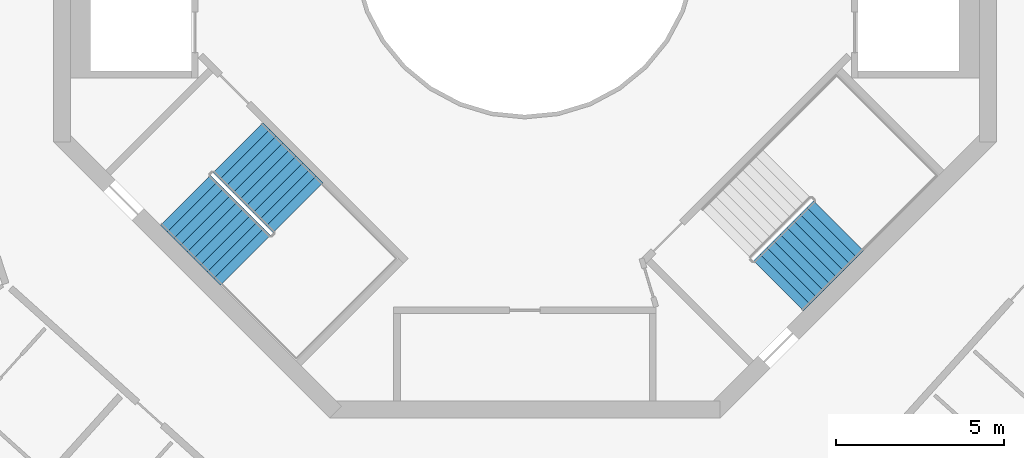
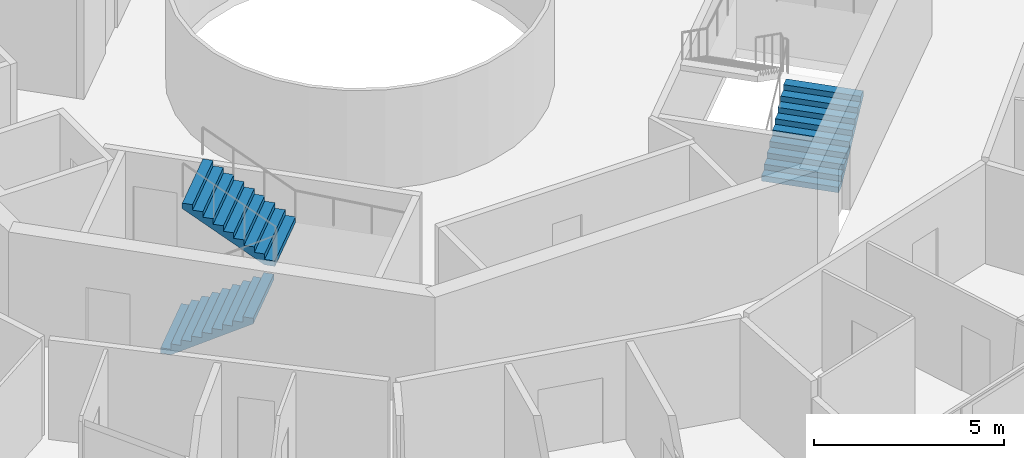
# One storey, part 20 of 22: 3 stair flights, 2 elements without a shape of their own.
"""IFC4 building model written with IfcOpenShell, lengths in metres."""

from ifc_helpers import new_model, si_unit, direction, frame, origin, place, context, subcontext, project, spatial, triangles, material, type_object, element, aggregate, save


model = new_model("IFC4")

# Units and contexts
model_context = context("Model", 3, precision=1e-05, world=origin(), true_north=direction((0.0, 1.0)))
body_context = subcontext(model_context, "Body", "Model", "MODEL_VIEW")
ifc_project = project(units=[si_unit("LENGTHUNIT", "METRE"), si_unit("AREAUNIT", "SQUARE_METRE"), si_unit("VOLUMEUNIT", "CUBIC_METRE"), si_unit("PLANEANGLEUNIT", "RADIAN"), si_unit("MASSUNIT", "GRAM", prefix="KILO")], contexts=[model_context])

# Site, building, storey
site_placement = place(None, origin())
site = spatial("IfcSite", under=ifc_project, at=site_placement, CompositionType="ELEMENT")
building_placement = place(site_placement, origin())
building = spatial("IfcBuilding", under=site, at=building_placement, Name="Verdalira Terraces Hotel", CompositionType="ELEMENT")
storey_placement = place(building_placement, frame((0.0, 0.0, 230.5)))
storey = spatial("IfcBuildingStorey", under=building, at=storey_placement, Name="L56", CompositionType="ELEMENT", Elevation=230.5)

# Stair, stair flights
ifc_material_1 = material(Name="Concrete C40", Category="concrete")
stair_type = type_object("IfcStairType", Name="Core stair 20 risers 2100 mm wide", PredefinedType="HALF_TURN_STAIR", material=ifc_material_1)
stair_1_placement = place(storey_placement, origin())
stair_1 = element("IfcStair", 1, at=stair_1_placement, inside=storey, type_object=stair_type, Name="L56 Exit stair ST2", PredefinedType="HALF_TURN_STAIR")
ifc_material_2 = material(Name="Concrete C40", Category="concrete")
stair_flight_type = type_object("IfcStairFlightType", Name="Core stair flight 20 risers 2100 mm wide", PredefinedType="STRAIGHT", material=ifc_material_2)
stair_flight_1_placement = place(storey_placement, frame((-10.076172, -7.530762, 0.0), z_axis=(0.0, 0.0, 1.0), x_axis=(0.707106781, -0.707106781, 0.0)))
stair_flight_1 = element("IfcStairFlight", 2, at=stair_flight_1_placement, type_object=stair_flight_type, Name="ST2 flight 1", NumberOfRisers=10, NumberOfTreads=9, PredefinedType="STRAIGHT", RiserHeight=0.175, TreadLength=0.28, context=body_context, shape_type="Tessellation", body=[
    triangles([(0.0, 1.050049, 0.0), (0.282715, 1.050049, 0.0), (2.52002, 1.050049, 1.398193), (0.0, -1.050049, 0.0), (0.282715, -1.050049, 0.0), (2.52002, -1.050049, 1.398193), (2.52002, 1.050049, 1.574951), (2.23999, 1.050049, 1.574951), (2.52002, -1.050049, 1.574951), (2.23999, -1.050049, 1.574951), (2.23999, 1.050049, 1.399902), (2.23999, -1.050049, 1.399902), (1.959961, 1.050049, 1.399902), (1.959961, -1.050049, 1.399902), (1.959961, 1.050049, 1.225098), (1.959961, -1.050049, 1.225098), (1.679932, 1.050049, 1.225098), (1.679932, 1.050049, 1.050049), (1.679932, -1.050049, 1.225098), (1.679932, -1.050049, 1.050049), (1.399902, 1.050049, 1.050049), (1.399902, 1.050049, 0.875), (1.399902, -1.050049, 1.050049), (1.399902, -1.050049, 0.875), (1.120117, 1.050049, 0.875), (1.120117, 1.050049, 0.699951), (1.120117, -1.050049, 0.875), (1.120117, -1.050049, 0.699951), (0.840088, 1.050049, 0.699951), (0.840088, 1.050049, 0.524902), (0.840088, -1.050049, 0.699951), (0.840088, -1.050049, 0.524902), (0.560059, 1.050049, 0.524902), (0.560059, 1.050049, 0.350098), (0.560059, -1.050049, 0.524902), (0.560059, -1.050049, 0.350098), (0.280029, 1.050049, 0.350098), (0.280029, 1.050049, 0.175049), (0.280029, -1.050049, 0.350098), (0.280029, -1.050049, 0.175049), (0.0, 1.050049, 0.175049), (0.0, -1.050049, 0.175049), (0.0, -0.984421, 0.0), (0.0, -0.984421, 0.175049), (0.0, -0.918793, 0.0), (0.0, -0.918793, 0.175049), (0.0, -0.853165, 0.0), (0.0, -0.853165, 0.175049), (0.0, -0.787537, 0.0), (0.0, -0.787537, 0.175049), (0.0, -0.721909, 0.0), (0.0, -0.721909, 0.175049), (0.0, -0.656281, 0.0), (0.0, -0.656281, 0.175049), (0.0, -0.590652, 0.0), (0.0, -0.590652, 0.175049), (0.0, -0.525024, 0.0), (0.0, -0.525024, 0.175049), (0.0, -0.459396, 0.0), (0.0, -0.459396, 0.175049), (0.0, -0.393768, 0.0), (0.0, -0.393768, 0.175049), (0.0, -0.32814, 0.0), (0.0, -0.32814, 0.175049), (0.0, -0.262512, 0.0), (0.0, -0.262512, 0.175049), (0.0, -0.196884, 0.0), (0.0, -0.196884, 0.175049), (0.0, -0.131256, 0.0), (0.0, -0.131256, 0.175049), (0.0, -0.065628, 0.0), (0.0, -0.065628, 0.175049), (0.0, 0.0, 0.0), (0.0, 0.0, 0.175049), (0.0, 0.065628, 0.0), (0.0, 0.065628, 0.175049), (0.0, 0.131256, 0.0), (0.0, 0.131256, 0.175049), (0.0, 0.196884, 0.0), (0.0, 0.196884, 0.175049), (0.0, 0.262512, 0.0), (0.0, 0.262512, 0.175049), (0.0, 0.32814, 0.0), (0.0, 0.32814, 0.175049), (0.0, 0.393768, 0.0), (0.0, 0.393768, 0.175049), (0.0, 0.459396, 0.0), (0.0, 0.459396, 0.175049), (0.0, 0.525024, 0.0), (0.0, 0.525024, 0.175049), (0.0, 0.590652, 0.0), (0.0, 0.590652, 0.175049), (0.0, 0.656281, 0.0), (0.0, 0.656281, 0.175049), (0.0, 0.721909, 0.0), (0.0, 0.721909, 0.175049), (0.0, 0.787537, 0.0), (0.0, 0.787537, 0.175049), (0.0, 0.853165, 0.0), (0.0, 0.853165, 0.175049), (0.0, 0.918793, 0.0), (0.0, 0.918793, 0.175049), (0.0, 0.984421, 0.0), (0.0, 0.984421, 0.175049), (2.52002, -0.984421, 1.574951), (2.52002, -0.918793, 1.574951), (2.52002, -0.853165, 1.574951), (2.52002, -0.787537, 1.574951), (2.52002, -0.721909, 1.574951), (2.52002, -0.656281, 1.574951), (2.52002, -0.590652, 1.574951), (2.52002, -0.525024, 1.574951), (2.52002, -0.459396, 1.574951), (2.52002, -0.393768, 1.574951), (2.52002, -0.32814, 1.574951), (2.52002, -0.262512, 1.574951), (2.52002, -0.196884, 1.574951), (2.52002, -0.131256, 1.574951), (2.52002, -0.065628, 1.574951), (2.52002, 0.0, 1.574951), (2.52002, 0.065628, 1.574951), (2.52002, 0.131256, 1.574951), (2.52002, 0.196884, 1.574951), (2.52002, 0.262512, 1.574951), (2.52002, 0.32814, 1.574951), (2.52002, 0.393768, 1.574951), (2.52002, 0.459396, 1.574951), (2.52002, 0.525024, 1.574951), (2.52002, 0.590652, 1.574951), (2.52002, 0.656281, 1.574951), (2.52002, 0.721909, 1.574951), (2.52002, 0.787537, 1.574951), (2.52002, 0.853165, 1.574951), (2.52002, 0.918793, 1.574951), (2.52002, 0.984421, 1.574951), (2.52002, -0.984421, 1.398193), (2.52002, -0.918793, 1.398193), (2.52002, -0.853165, 1.398193), (2.52002, -0.787537, 1.398193), (2.52002, -0.721909, 1.398193), (2.52002, -0.656281, 1.398193), (2.52002, -0.590652, 1.398193), (2.52002, -0.525024, 1.398193), (2.52002, -0.459396, 1.398193), (2.52002, -0.393768, 1.398193), (2.52002, -0.32814, 1.398193), (2.52002, -0.262512, 1.398193), (2.52002, -0.196884, 1.398193), (2.52002, -0.131256, 1.398193), (2.52002, -0.065628, 1.398193), (2.52002, 0.0, 1.398193), (2.52002, 0.065628, 1.398193), (2.52002, 0.131256, 1.398193), (2.52002, 0.196884, 1.398193), (2.52002, 0.262512, 1.398193), (2.52002, 0.32814, 1.398193), (2.52002, 0.393768, 1.398193), (2.52002, 0.459396, 1.398193), (2.52002, 0.525024, 1.398193), (2.52002, 0.590652, 1.398193), (2.52002, 0.656281, 1.398193), (2.52002, 0.721909, 1.398193), (2.52002, 0.787537, 1.398193), (2.52002, 0.853165, 1.398193), (2.52002, 0.918793, 1.398193), (2.52002, 0.984421, 1.398193)], [[1, 3, 2], [4, 5, 6], [3, 8, 7], [6, 9, 10], [3, 11, 8], [6, 10, 12], [3, 13, 11], [6, 12, 14], [3, 15, 13], [6, 14, 16], [15, 18, 17], [16, 19, 20], [3, 18, 15], [6, 16, 20], [18, 22, 21], [20, 23, 24], [3, 22, 18], [6, 20, 24], [22, 26, 25], [24, 27, 28], [3, 26, 22], [6, 24, 28], [26, 30, 29], [28, 31, 32], [3, 30, 26], [6, 28, 32], [1, 30, 3], [4, 6, 32], [30, 34, 33], [32, 35, 36], [34, 38, 37], [36, 39, 40], [30, 38, 34], [32, 36, 40], [1, 38, 30], [4, 32, 40], [38, 1, 41], [40, 42, 4], [4, 44, 43], [4, 42, 44], [43, 46, 45], [43, 44, 46], [45, 48, 47], [45, 46, 48], [47, 50, 49], [47, 48, 50], [49, 52, 51], [49, 50, 52], [51, 54, 53], [51, 52, 54], [53, 56, 55], [53, 54, 56], [55, 58, 57], [55, 56, 58], [57, 60, 59], [57, 58, 60], [59, 62, 61], [59, 60, 62], [61, 64, 63], [61, 62, 64], [63, 66, 65], [63, 64, 66], [65, 68, 67], [65, 66, 68], [67, 70, 69], [67, 68, 70], [69, 72, 71], [69, 70, 72], [71, 74, 73], [71, 72, 74], [73, 76, 75], [73, 74, 76], [75, 78, 77], [75, 76, 78], [77, 80, 79], [77, 78, 80], [79, 82, 81], [79, 80, 82], [81, 84, 83], [81, 82, 84], [83, 86, 85], [83, 84, 86], [85, 88, 87], [85, 86, 88], [87, 90, 89], [87, 88, 90], [89, 92, 91], [89, 90, 92], [91, 94, 93], [91, 92, 94], [93, 96, 95], [93, 94, 96], [95, 98, 97], [95, 96, 98], [97, 100, 99], [97, 98, 100], [99, 102, 101], [99, 100, 102], [101, 104, 103], [101, 102, 104], [103, 41, 1], [103, 104, 41], [42, 40, 44], [44, 40, 46], [46, 40, 48], [48, 40, 50], [50, 40, 52], [52, 40, 54], [54, 40, 56], [56, 40, 58], [58, 40, 60], [60, 40, 62], [62, 40, 64], [64, 40, 66], [66, 40, 68], [68, 40, 70], [70, 40, 72], [72, 40, 74], [74, 40, 76], [76, 40, 78], [78, 40, 80], [80, 40, 82], [82, 40, 84], [84, 40, 86], [86, 40, 88], [88, 40, 90], [90, 40, 92], [92, 40, 94], [94, 40, 96], [96, 40, 98], [98, 40, 100], [100, 40, 102], [102, 40, 104], [104, 40, 41], [41, 40, 38], [40, 37, 38], [40, 39, 37], [39, 34, 37], [39, 36, 34], [36, 33, 34], [36, 35, 33], [35, 30, 33], [35, 32, 30], [32, 29, 30], [32, 31, 29], [31, 26, 29], [31, 28, 26], [28, 25, 26], [28, 27, 25], [27, 22, 25], [27, 24, 22], [24, 21, 22], [24, 23, 21], [23, 18, 21], [23, 20, 18], [20, 17, 18], [20, 19, 17], [19, 15, 17], [19, 16, 15], [16, 13, 15], [16, 14, 13], [14, 11, 13], [14, 12, 11], [12, 8, 11], [12, 10, 8], [9, 105, 10], [105, 106, 10], [106, 107, 10], [107, 108, 10], [108, 109, 10], [109, 110, 10], [110, 111, 10], [111, 112, 10], [112, 113, 10], [113, 114, 10], [114, 115, 10], [115, 116, 10], [116, 117, 10], [117, 118, 10], [118, 119, 10], [119, 120, 10], [120, 121, 10], [121, 122, 10], [122, 123, 10], [123, 124, 10], [124, 125, 10], [125, 126, 10], [126, 127, 10], [127, 128, 10], [128, 129, 10], [129, 130, 10], [130, 131, 10], [131, 132, 10], [132, 133, 10], [133, 134, 10], [134, 135, 10], [135, 7, 10], [7, 8, 10], [9, 136, 105], [9, 6, 136], [105, 137, 106], [105, 136, 137], [106, 138, 107], [106, 137, 138], [107, 139, 108], [107, 138, 139], [108, 140, 109], [108, 139, 140], [109, 141, 110], [109, 140, 141], [110, 142, 111], [110, 141, 142], [111, 143, 112], [111, 142, 143], [112, 144, 113], [112, 143, 144], [113, 145, 114], [113, 144, 145], [114, 146, 115], [114, 145, 146], [115, 147, 116], [115, 146, 147], [116, 148, 117], [116, 147, 148], [117, 149, 118], [117, 148, 149], [118, 150, 119], [118, 149, 150], [119, 151, 120], [119, 150, 151], [120, 152, 121], [120, 151, 152], [121, 153, 122], [121, 152, 153], [122, 154, 123], [122, 153, 154], [123, 155, 124], [123, 154, 155], [124, 156, 125], [124, 155, 156], [125, 157, 126], [125, 156, 157], [126, 158, 127], [126, 157, 158], [127, 159, 128], [127, 158, 159], [128, 160, 129], [128, 159, 160], [129, 161, 130], [129, 160, 161], [130, 162, 131], [130, 161, 162], [131, 163, 132], [131, 162, 163], [132, 164, 133], [132, 163, 164], [133, 165, 134], [133, 164, 165], [134, 166, 135], [134, 165, 166], [135, 3, 7], [135, 166, 3], [6, 5, 136], [136, 5, 137], [137, 5, 138], [138, 5, 139], [139, 5, 140], [140, 5, 141], [141, 5, 142], [142, 5, 143], [143, 5, 144], [144, 5, 145], [145, 5, 146], [146, 5, 147], [147, 5, 148], [148, 5, 149], [149, 5, 150], [150, 5, 151], [151, 5, 152], [152, 5, 153], [153, 5, 154], [154, 5, 155], [155, 5, 156], [156, 5, 157], [157, 5, 158], [158, 5, 159], [159, 5, 160], [160, 5, 161], [161, 5, 162], [162, 5, 163], [163, 5, 164], [164, 5, 165], [165, 5, 166], [166, 5, 3], [3, 5, 2], [4, 43, 5], [43, 45, 5], [45, 47, 5], [47, 49, 5], [49, 51, 5], [51, 53, 5], [53, 55, 5], [55, 57, 5], [57, 59, 5], [59, 61, 5], [61, 63, 5], [63, 65, 5], [65, 67, 5], [67, 69, 5], [69, 71, 5], [71, 73, 5], [73, 75, 5], [75, 77, 5], [77, 79, 5], [79, 81, 5], [81, 83, 5], [83, 85, 5], [85, 87, 5], [87, 89, 5], [89, 91, 5], [91, 93, 5], [93, 95, 5], [95, 97, 5], [97, 99, 5], [99, 101, 5], [101, 103, 5], [103, 1, 5], [1, 2, 5]], closed=True),
])
stair_flight_2_placement = place(storey_placement, frame((-6.73877, -7.75708, 1.75), z_axis=(0.0, 0.0, 1.0), x_axis=(-0.707106781, 0.707106781, 0.0)))
stair_flight_2 = element("IfcStairFlight", 3, at=stair_flight_2_placement, type_object=stair_flight_type, Name="ST2 flight 2", NumberOfRisers=10, NumberOfTreads=9, PredefinedType="STRAIGHT", RiserHeight=0.175, TreadLength=0.28, context=body_context, shape_type="Tessellation", body=[
    triangles([(0.0, 1.050049, 0.0), (0.282715, 1.050049, 0.0), (2.52002, 1.050049, 1.398193), (0.0, -1.050049, 0.0), (0.282715, -1.050049, 0.0), (2.52002, -1.050049, 1.398193), (2.52002, 1.050049, 1.574951), (2.23999, 1.050049, 1.574951), (2.52002, -1.050049, 1.574951), (2.23999, -1.050049, 1.574951), (2.23999, 1.050049, 1.399902), (2.23999, -1.050049, 1.399902), (1.959961, 1.050049, 1.399902), (1.959961, -1.050049, 1.399902), (1.959961, 1.050049, 1.225098), (1.959961, -1.050049, 1.225098), (1.679932, 1.050049, 1.225098), (1.679932, 1.050049, 1.050049), (1.679932, -1.050049, 1.225098), (1.679932, -1.050049, 1.050049), (1.399902, 1.050049, 1.050049), (1.399902, 1.050049, 0.875), (1.399902, -1.050049, 1.050049), (1.399902, -1.050049, 0.875), (1.120117, 1.050049, 0.875), (1.120117, 1.050049, 0.699951), (1.120117, -1.050049, 0.875), (1.120117, -1.050049, 0.699951), (0.840088, 1.050049, 0.699951), (0.840088, 1.050049, 0.524902), (0.840088, -1.050049, 0.699951), (0.840088, -1.050049, 0.524902), (0.560059, 1.050049, 0.524902), (0.560059, 1.050049, 0.350098), (0.560059, -1.050049, 0.524902), (0.560059, -1.050049, 0.350098), (0.280029, 1.050049, 0.350098), (0.280029, 1.050049, 0.175049), (0.280029, -1.050049, 0.350098), (0.280029, -1.050049, 0.175049), (0.0, 1.050049, 0.175049), (0.0, -1.050049, 0.175049), (0.0, -0.984421, 0.0), (0.0, -0.984421, 0.175049), (0.0, -0.918793, 0.0), (0.0, -0.918793, 0.175049), (0.0, -0.853165, 0.0), (0.0, -0.853165, 0.175049), (0.0, -0.787537, 0.0), (0.0, -0.787537, 0.175049), (0.0, -0.721909, 0.0), (0.0, -0.721909, 0.175049), (0.0, -0.656281, 0.0), (0.0, -0.656281, 0.175049), (0.0, -0.590652, 0.0), (0.0, -0.590652, 0.175049), (0.0, -0.525024, 0.0), (0.0, -0.525024, 0.175049), (0.0, -0.459396, 0.0), (0.0, -0.459396, 0.175049), (0.0, -0.393768, 0.0), (0.0, -0.393768, 0.175049), (0.0, -0.32814, 0.0), (0.0, -0.32814, 0.175049), (0.0, -0.262512, 0.0), (0.0, -0.262512, 0.175049), (0.0, -0.196884, 0.0), (0.0, -0.196884, 0.175049), (0.0, -0.131256, 0.0), (0.0, -0.131256, 0.175049), (0.0, -0.065628, 0.0), (0.0, -0.065628, 0.175049), (0.0, 0.0, 0.0), (0.0, 0.0, 0.175049), (0.0, 0.065628, 0.0), (0.0, 0.065628, 0.175049), (0.0, 0.131256, 0.0), (0.0, 0.131256, 0.175049), (0.0, 0.196884, 0.0), (0.0, 0.196884, 0.175049), (0.0, 0.262512, 0.0), (0.0, 0.262512, 0.175049), (0.0, 0.32814, 0.0), (0.0, 0.32814, 0.175049), (0.0, 0.393768, 0.0), (0.0, 0.393768, 0.175049), (0.0, 0.459396, 0.0), (0.0, 0.459396, 0.175049), (0.0, 0.525024, 0.0), (0.0, 0.525024, 0.175049), (0.0, 0.590652, 0.0), (0.0, 0.590652, 0.175049), (0.0, 0.656281, 0.0), (0.0, 0.656281, 0.175049), (0.0, 0.721909, 0.0), (0.0, 0.721909, 0.175049), (0.0, 0.787537, 0.0), (0.0, 0.787537, 0.175049), (0.0, 0.853165, 0.0), (0.0, 0.853165, 0.175049), (0.0, 0.918793, 0.0), (0.0, 0.918793, 0.175049), (0.0, 0.984421, 0.0), (0.0, 0.984421, 0.175049), (2.52002, -0.984421, 1.574951), (2.52002, -0.918793, 1.574951), (2.52002, -0.853165, 1.574951), (2.52002, -0.787537, 1.574951), (2.52002, -0.721909, 1.574951), (2.52002, -0.656281, 1.574951), (2.52002, -0.590652, 1.574951), (2.52002, -0.525024, 1.574951), (2.52002, -0.459396, 1.574951), (2.52002, -0.393768, 1.574951), (2.52002, -0.32814, 1.574951), (2.52002, -0.262512, 1.574951), (2.52002, -0.196884, 1.574951), (2.52002, -0.131256, 1.574951), (2.52002, -0.065628, 1.574951), (2.52002, 0.0, 1.574951), (2.52002, 0.065628, 1.574951), (2.52002, 0.131256, 1.574951), (2.52002, 0.196884, 1.574951), (2.52002, 0.262512, 1.574951), (2.52002, 0.32814, 1.574951), (2.52002, 0.393768, 1.574951), (2.52002, 0.459396, 1.574951), (2.52002, 0.525024, 1.574951), (2.52002, 0.590652, 1.574951), (2.52002, 0.656281, 1.574951), (2.52002, 0.721909, 1.574951), (2.52002, 0.787537, 1.574951), (2.52002, 0.853165, 1.574951), (2.52002, 0.918793, 1.574951), (2.52002, 0.984421, 1.574951), (2.52002, -0.984421, 1.398193), (2.52002, -0.918793, 1.398193), (2.52002, -0.853165, 1.398193), (2.52002, -0.787537, 1.398193), (2.52002, -0.721909, 1.398193), (2.52002, -0.656281, 1.398193), (2.52002, -0.590652, 1.398193), (2.52002, -0.525024, 1.398193), (2.52002, -0.459396, 1.398193), (2.52002, -0.393768, 1.398193), (2.52002, -0.32814, 1.398193), (2.52002, -0.262512, 1.398193), (2.52002, -0.196884, 1.398193), (2.52002, -0.131256, 1.398193), (2.52002, -0.065628, 1.398193), (2.52002, 0.0, 1.398193), (2.52002, 0.065628, 1.398193), (2.52002, 0.131256, 1.398193), (2.52002, 0.196884, 1.398193), (2.52002, 0.262512, 1.398193), (2.52002, 0.32814, 1.398193), (2.52002, 0.393768, 1.398193), (2.52002, 0.459396, 1.398193), (2.52002, 0.525024, 1.398193), (2.52002, 0.590652, 1.398193), (2.52002, 0.656281, 1.398193), (2.52002, 0.721909, 1.398193), (2.52002, 0.787537, 1.398193), (2.52002, 0.853165, 1.398193), (2.52002, 0.918793, 1.398193), (2.52002, 0.984421, 1.398193)], [[1, 3, 2], [4, 5, 6], [3, 8, 7], [6, 9, 10], [3, 11, 8], [6, 10, 12], [3, 13, 11], [6, 12, 14], [3, 15, 13], [6, 14, 16], [15, 18, 17], [16, 19, 20], [3, 18, 15], [6, 16, 20], [18, 22, 21], [20, 23, 24], [3, 22, 18], [6, 20, 24], [22, 26, 25], [24, 27, 28], [3, 26, 22], [6, 24, 28], [26, 30, 29], [28, 31, 32], [3, 30, 26], [6, 28, 32], [1, 30, 3], [4, 6, 32], [30, 34, 33], [32, 35, 36], [34, 38, 37], [36, 39, 40], [30, 38, 34], [32, 36, 40], [1, 38, 30], [4, 32, 40], [38, 1, 41], [40, 42, 4], [4, 44, 43], [4, 42, 44], [43, 46, 45], [43, 44, 46], [45, 48, 47], [45, 46, 48], [47, 50, 49], [47, 48, 50], [49, 52, 51], [49, 50, 52], [51, 54, 53], [51, 52, 54], [53, 56, 55], [53, 54, 56], [55, 58, 57], [55, 56, 58], [57, 60, 59], [57, 58, 60], [59, 62, 61], [59, 60, 62], [61, 64, 63], [61, 62, 64], [63, 66, 65], [63, 64, 66], [65, 68, 67], [65, 66, 68], [67, 70, 69], [67, 68, 70], [69, 72, 71], [69, 70, 72], [71, 74, 73], [71, 72, 74], [73, 76, 75], [73, 74, 76], [75, 78, 77], [75, 76, 78], [77, 80, 79], [77, 78, 80], [79, 82, 81], [79, 80, 82], [81, 84, 83], [81, 82, 84], [83, 86, 85], [83, 84, 86], [85, 88, 87], [85, 86, 88], [87, 90, 89], [87, 88, 90], [89, 92, 91], [89, 90, 92], [91, 94, 93], [91, 92, 94], [93, 96, 95], [93, 94, 96], [95, 98, 97], [95, 96, 98], [97, 100, 99], [97, 98, 100], [99, 102, 101], [99, 100, 102], [101, 104, 103], [101, 102, 104], [103, 41, 1], [103, 104, 41], [42, 40, 44], [44, 40, 46], [46, 40, 48], [48, 40, 50], [50, 40, 52], [52, 40, 54], [54, 40, 56], [56, 40, 58], [58, 40, 60], [60, 40, 62], [62, 40, 64], [64, 40, 66], [66, 40, 68], [68, 40, 70], [70, 40, 72], [72, 40, 74], [74, 40, 76], [76, 40, 78], [78, 40, 80], [80, 40, 82], [82, 40, 84], [84, 40, 86], [86, 40, 88], [88, 40, 90], [90, 40, 92], [92, 40, 94], [94, 40, 96], [96, 40, 98], [98, 40, 100], [100, 40, 102], [102, 40, 104], [104, 40, 41], [41, 40, 38], [40, 37, 38], [40, 39, 37], [39, 34, 37], [39, 36, 34], [36, 33, 34], [36, 35, 33], [35, 30, 33], [35, 32, 30], [32, 29, 30], [32, 31, 29], [31, 26, 29], [31, 28, 26], [28, 25, 26], [28, 27, 25], [27, 22, 25], [27, 24, 22], [24, 21, 22], [24, 23, 21], [23, 18, 21], [23, 20, 18], [20, 17, 18], [20, 19, 17], [19, 15, 17], [19, 16, 15], [16, 13, 15], [16, 14, 13], [14, 11, 13], [14, 12, 11], [12, 8, 11], [12, 10, 8], [9, 105, 10], [105, 106, 10], [106, 107, 10], [107, 108, 10], [108, 109, 10], [109, 110, 10], [110, 111, 10], [111, 112, 10], [112, 113, 10], [113, 114, 10], [114, 115, 10], [115, 116, 10], [116, 117, 10], [117, 118, 10], [118, 119, 10], [119, 120, 10], [120, 121, 10], [121, 122, 10], [122, 123, 10], [123, 124, 10], [124, 125, 10], [125, 126, 10], [126, 127, 10], [127, 128, 10], [128, 129, 10], [129, 130, 10], [130, 131, 10], [131, 132, 10], [132, 133, 10], [133, 134, 10], [134, 135, 10], [135, 7, 10], [7, 8, 10], [9, 136, 105], [9, 6, 136], [105, 137, 106], [105, 136, 137], [106, 138, 107], [106, 137, 138], [107, 139, 108], [107, 138, 139], [108, 140, 109], [108, 139, 140], [109, 141, 110], [109, 140, 141], [110, 142, 111], [110, 141, 142], [111, 143, 112], [111, 142, 143], [112, 144, 113], [112, 143, 144], [113, 145, 114], [113, 144, 145], [114, 146, 115], [114, 145, 146], [115, 147, 116], [115, 146, 147], [116, 148, 117], [116, 147, 148], [117, 149, 118], [117, 148, 149], [118, 150, 119], [118, 149, 150], [119, 151, 120], [119, 150, 151], [120, 152, 121], [120, 151, 152], [121, 153, 122], [121, 152, 153], [122, 154, 123], [122, 153, 154], [123, 155, 124], [123, 154, 155], [124, 156, 125], [124, 155, 156], [125, 157, 126], [125, 156, 157], [126, 158, 127], [126, 157, 158], [127, 159, 128], [127, 158, 159], [128, 160, 129], [128, 159, 160], [129, 161, 130], [129, 160, 161], [130, 162, 131], [130, 161, 162], [131, 163, 132], [131, 162, 163], [132, 164, 133], [132, 163, 164], [133, 165, 134], [133, 164, 165], [134, 166, 135], [134, 165, 166], [135, 3, 7], [135, 166, 3], [6, 5, 136], [136, 5, 137], [137, 5, 138], [138, 5, 139], [139, 5, 140], [140, 5, 141], [141, 5, 142], [142, 5, 143], [143, 5, 144], [144, 5, 145], [145, 5, 146], [146, 5, 147], [147, 5, 148], [148, 5, 149], [149, 5, 150], [150, 5, 151], [151, 5, 152], [152, 5, 153], [153, 5, 154], [154, 5, 155], [155, 5, 156], [156, 5, 157], [157, 5, 158], [158, 5, 159], [159, 5, 160], [160, 5, 161], [161, 5, 162], [162, 5, 163], [163, 5, 164], [164, 5, 165], [165, 5, 166], [166, 5, 3], [3, 5, 2], [4, 43, 5], [43, 45, 5], [45, 47, 5], [47, 49, 5], [49, 51, 5], [51, 53, 5], [53, 55, 5], [55, 57, 5], [57, 59, 5], [59, 61, 5], [61, 63, 5], [63, 65, 5], [65, 67, 5], [67, 69, 5], [69, 71, 5], [71, 73, 5], [73, 75, 5], [75, 77, 5], [77, 79, 5], [79, 81, 5], [81, 83, 5], [83, 85, 5], [85, 87, 5], [87, 89, 5], [89, 91, 5], [91, 93, 5], [93, 95, 5], [95, 97, 5], [97, 99, 5], [99, 101, 5], [101, 103, 5], [103, 1, 5], [1, 2, 5]], closed=True),
])
aggregate(stair_1, [stair_flight_1, stair_flight_2])

# Stair, stair flight
stair_2_placement = place(storey_placement, origin())
stair_2 = element("IfcStair", 4, at=stair_2_placement, inside=storey, type_object=stair_type, Name="L56 Exit stair ST3", PredefinedType="HALF_TURN_STAIR")
stair_flight_3_placement = place(storey_placement, frame((7.530762, -10.076172, 0.0), z_axis=(0.0, 0.0, 1.0), x_axis=(0.707106781, 0.707106781, 0.0)))
stair_flight_3 = element("IfcStairFlight", 5, at=stair_flight_3_placement, type_object=stair_flight_type, Name="ST3 flight 1", NumberOfRisers=10, NumberOfTreads=9, PredefinedType="STRAIGHT", RiserHeight=0.175, TreadLength=0.28, context=body_context, shape_type="Tessellation", body=[
    triangles([(0.0, 1.050049, 0.0), (0.282715, 1.050049, 0.0), (2.52002, 1.050049, 1.398193), (0.0, -1.050049, 0.0), (0.282715, -1.050049, 0.0), (2.52002, -1.050049, 1.398193), (2.52002, 1.050049, 1.574951), (2.23999, 1.050049, 1.574951), (2.52002, -1.050049, 1.574951), (2.23999, -1.050049, 1.574951), (2.23999, 1.050049, 1.399902), (2.23999, -1.050049, 1.399902), (1.959961, 1.050049, 1.399902), (1.959961, -1.050049, 1.399902), (1.959961, 1.050049, 1.225098), (1.959961, -1.050049, 1.225098), (1.679932, 1.050049, 1.225098), (1.679932, 1.050049, 1.050049), (1.679932, -1.050049, 1.225098), (1.679932, -1.050049, 1.050049), (1.399902, 1.050049, 1.050049), (1.399902, 1.050049, 0.875), (1.399902, -1.050049, 1.050049), (1.399902, -1.050049, 0.875), (1.120117, 1.050049, 0.875), (1.120117, 1.050049, 0.699951), (1.120117, -1.050049, 0.875), (1.120117, -1.050049, 0.699951), (0.840088, 1.050049, 0.699951), (0.840088, 1.050049, 0.524902), (0.840088, -1.050049, 0.699951), (0.840088, -1.050049, 0.524902), (0.560059, 1.050049, 0.524902), (0.560059, 1.050049, 0.350098), (0.560059, -1.050049, 0.524902), (0.560059, -1.050049, 0.350098), (0.280029, 1.050049, 0.350098), (0.280029, 1.050049, 0.175049), (0.280029, -1.050049, 0.350098), (0.280029, -1.050049, 0.175049), (0.0, 1.050049, 0.175049), (0.0, -1.050049, 0.175049), (0.0, -0.984421, 0.0), (0.0, -0.984421, 0.175049), (0.0, -0.918793, 0.0), (0.0, -0.918793, 0.175049), (0.0, -0.853165, 0.0), (0.0, -0.853165, 0.175049), (0.0, -0.787537, 0.0), (0.0, -0.787537, 0.175049), (0.0, -0.721909, 0.0), (0.0, -0.721909, 0.175049), (0.0, -0.656281, 0.0), (0.0, -0.656281, 0.175049), (0.0, -0.590652, 0.0), (0.0, -0.590652, 0.175049), (0.0, -0.525024, 0.0), (0.0, -0.525024, 0.175049), (0.0, -0.459396, 0.0), (0.0, -0.459396, 0.175049), (0.0, -0.393768, 0.0), (0.0, -0.393768, 0.175049), (0.0, -0.32814, 0.0), (0.0, -0.32814, 0.175049), (0.0, -0.262512, 0.0), (0.0, -0.262512, 0.175049), (0.0, -0.196884, 0.0), (0.0, -0.196884, 0.175049), (0.0, -0.131256, 0.0), (0.0, -0.131256, 0.175049), (0.0, -0.065628, 0.0), (0.0, -0.065628, 0.175049), (0.0, 0.0, 0.0), (0.0, 0.0, 0.175049), (0.0, 0.065628, 0.0), (0.0, 0.065628, 0.175049), (0.0, 0.131256, 0.0), (0.0, 0.131256, 0.175049), (0.0, 0.196884, 0.0), (0.0, 0.196884, 0.175049), (0.0, 0.262512, 0.0), (0.0, 0.262512, 0.175049), (0.0, 0.32814, 0.0), (0.0, 0.32814, 0.175049), (0.0, 0.393768, 0.0), (0.0, 0.393768, 0.175049), (0.0, 0.459396, 0.0), (0.0, 0.459396, 0.175049), (0.0, 0.525024, 0.0), (0.0, 0.525024, 0.175049), (0.0, 0.590652, 0.0), (0.0, 0.590652, 0.175049), (0.0, 0.656281, 0.0), (0.0, 0.656281, 0.175049), (0.0, 0.721909, 0.0), (0.0, 0.721909, 0.175049), (0.0, 0.787537, 0.0), (0.0, 0.787537, 0.175049), (0.0, 0.853165, 0.0), (0.0, 0.853165, 0.175049), (0.0, 0.918793, 0.0), (0.0, 0.918793, 0.175049), (0.0, 0.984421, 0.0), (0.0, 0.984421, 0.175049), (2.52002, -0.984421, 1.574951), (2.52002, -0.918793, 1.574951), (2.52002, -0.853165, 1.574951), (2.52002, -0.787537, 1.574951), (2.52002, -0.721909, 1.574951), (2.52002, -0.656281, 1.574951), (2.52002, -0.590652, 1.574951), (2.52002, -0.525024, 1.574951), (2.52002, -0.459396, 1.574951), (2.52002, -0.393768, 1.574951), (2.52002, -0.32814, 1.574951), (2.52002, -0.262512, 1.574951), (2.52002, -0.196884, 1.574951), (2.52002, -0.131256, 1.574951), (2.52002, -0.065628, 1.574951), (2.52002, 0.0, 1.574951), (2.52002, 0.065628, 1.574951), (2.52002, 0.131256, 1.574951), (2.52002, 0.196884, 1.574951), (2.52002, 0.262512, 1.574951), (2.52002, 0.32814, 1.574951), (2.52002, 0.393768, 1.574951), (2.52002, 0.459396, 1.574951), (2.52002, 0.525024, 1.574951), (2.52002, 0.590652, 1.574951), (2.52002, 0.656281, 1.574951), (2.52002, 0.721909, 1.574951), (2.52002, 0.787537, 1.574951), (2.52002, 0.853165, 1.574951), (2.52002, 0.918793, 1.574951), (2.52002, 0.984421, 1.574951), (2.52002, -0.984421, 1.398193), (2.52002, -0.918793, 1.398193), (2.52002, -0.853165, 1.398193), (2.52002, -0.787537, 1.398193), (2.52002, -0.721909, 1.398193), (2.52002, -0.656281, 1.398193), (2.52002, -0.590652, 1.398193), (2.52002, -0.525024, 1.398193), (2.52002, -0.459396, 1.398193), (2.52002, -0.393768, 1.398193), (2.52002, -0.32814, 1.398193), (2.52002, -0.262512, 1.398193), (2.52002, -0.196884, 1.398193), (2.52002, -0.131256, 1.398193), (2.52002, -0.065628, 1.398193), (2.52002, 0.0, 1.398193), (2.52002, 0.065628, 1.398193), (2.52002, 0.131256, 1.398193), (2.52002, 0.196884, 1.398193), (2.52002, 0.262512, 1.398193), (2.52002, 0.32814, 1.398193), (2.52002, 0.393768, 1.398193), (2.52002, 0.459396, 1.398193), (2.52002, 0.525024, 1.398193), (2.52002, 0.590652, 1.398193), (2.52002, 0.656281, 1.398193), (2.52002, 0.721909, 1.398193), (2.52002, 0.787537, 1.398193), (2.52002, 0.853165, 1.398193), (2.52002, 0.918793, 1.398193), (2.52002, 0.984421, 1.398193)], [[1, 3, 2], [4, 5, 6], [3, 8, 7], [6, 9, 10], [3, 11, 8], [6, 10, 12], [3, 13, 11], [6, 12, 14], [3, 15, 13], [6, 14, 16], [15, 18, 17], [16, 19, 20], [3, 18, 15], [6, 16, 20], [18, 22, 21], [20, 23, 24], [3, 22, 18], [6, 20, 24], [22, 26, 25], [24, 27, 28], [3, 26, 22], [6, 24, 28], [26, 30, 29], [28, 31, 32], [3, 30, 26], [6, 28, 32], [1, 30, 3], [4, 6, 32], [30, 34, 33], [32, 35, 36], [34, 38, 37], [36, 39, 40], [30, 38, 34], [32, 36, 40], [1, 38, 30], [4, 32, 40], [38, 1, 41], [40, 42, 4], [4, 44, 43], [4, 42, 44], [43, 46, 45], [43, 44, 46], [45, 48, 47], [45, 46, 48], [47, 50, 49], [47, 48, 50], [49, 52, 51], [49, 50, 52], [51, 54, 53], [51, 52, 54], [53, 56, 55], [53, 54, 56], [55, 58, 57], [55, 56, 58], [57, 60, 59], [57, 58, 60], [59, 62, 61], [59, 60, 62], [61, 64, 63], [61, 62, 64], [63, 66, 65], [63, 64, 66], [65, 68, 67], [65, 66, 68], [67, 70, 69], [67, 68, 70], [69, 72, 71], [69, 70, 72], [71, 74, 73], [71, 72, 74], [73, 76, 75], [73, 74, 76], [75, 78, 77], [75, 76, 78], [77, 80, 79], [77, 78, 80], [79, 82, 81], [79, 80, 82], [81, 84, 83], [81, 82, 84], [83, 86, 85], [83, 84, 86], [85, 88, 87], [85, 86, 88], [87, 90, 89], [87, 88, 90], [89, 92, 91], [89, 90, 92], [91, 94, 93], [91, 92, 94], [93, 96, 95], [93, 94, 96], [95, 98, 97], [95, 96, 98], [97, 100, 99], [97, 98, 100], [99, 102, 101], [99, 100, 102], [101, 104, 103], [101, 102, 104], [103, 41, 1], [103, 104, 41], [42, 40, 44], [44, 40, 46], [46, 40, 48], [48, 40, 50], [50, 40, 52], [52, 40, 54], [54, 40, 56], [56, 40, 58], [58, 40, 60], [60, 40, 62], [62, 40, 64], [64, 40, 66], [66, 40, 68], [68, 40, 70], [70, 40, 72], [72, 40, 74], [74, 40, 76], [76, 40, 78], [78, 40, 80], [80, 40, 82], [82, 40, 84], [84, 40, 86], [86, 40, 88], [88, 40, 90], [90, 40, 92], [92, 40, 94], [94, 40, 96], [96, 40, 98], [98, 40, 100], [100, 40, 102], [102, 40, 104], [104, 40, 41], [41, 40, 38], [40, 37, 38], [40, 39, 37], [39, 34, 37], [39, 36, 34], [36, 33, 34], [36, 35, 33], [35, 30, 33], [35, 32, 30], [32, 29, 30], [32, 31, 29], [31, 26, 29], [31, 28, 26], [28, 25, 26], [28, 27, 25], [27, 22, 25], [27, 24, 22], [24, 21, 22], [24, 23, 21], [23, 18, 21], [23, 20, 18], [20, 17, 18], [20, 19, 17], [19, 15, 17], [19, 16, 15], [16, 13, 15], [16, 14, 13], [14, 11, 13], [14, 12, 11], [12, 8, 11], [12, 10, 8], [9, 105, 10], [105, 106, 10], [106, 107, 10], [107, 108, 10], [108, 109, 10], [109, 110, 10], [110, 111, 10], [111, 112, 10], [112, 113, 10], [113, 114, 10], [114, 115, 10], [115, 116, 10], [116, 117, 10], [117, 118, 10], [118, 119, 10], [119, 120, 10], [120, 121, 10], [121, 122, 10], [122, 123, 10], [123, 124, 10], [124, 125, 10], [125, 126, 10], [126, 127, 10], [127, 128, 10], [128, 129, 10], [129, 130, 10], [130, 131, 10], [131, 132, 10], [132, 133, 10], [133, 134, 10], [134, 135, 10], [135, 7, 10], [7, 8, 10], [9, 136, 105], [9, 6, 136], [105, 137, 106], [105, 136, 137], [106, 138, 107], [106, 137, 138], [107, 139, 108], [107, 138, 139], [108, 140, 109], [108, 139, 140], [109, 141, 110], [109, 140, 141], [110, 142, 111], [110, 141, 142], [111, 143, 112], [111, 142, 143], [112, 144, 113], [112, 143, 144], [113, 145, 114], [113, 144, 145], [114, 146, 115], [114, 145, 146], [115, 147, 116], [115, 146, 147], [116, 148, 117], [116, 147, 148], [117, 149, 118], [117, 148, 149], [118, 150, 119], [118, 149, 150], [119, 151, 120], [119, 150, 151], [120, 152, 121], [120, 151, 152], [121, 153, 122], [121, 152, 153], [122, 154, 123], [122, 153, 154], [123, 155, 124], [123, 154, 155], [124, 156, 125], [124, 155, 156], [125, 157, 126], [125, 156, 157], [126, 158, 127], [126, 157, 158], [127, 159, 128], [127, 158, 159], [128, 160, 129], [128, 159, 160], [129, 161, 130], [129, 160, 161], [130, 162, 131], [130, 161, 162], [131, 163, 132], [131, 162, 163], [132, 164, 133], [132, 163, 164], [133, 165, 134], [133, 164, 165], [134, 166, 135], [134, 165, 166], [135, 3, 7], [135, 166, 3], [6, 5, 136], [136, 5, 137], [137, 5, 138], [138, 5, 139], [139, 5, 140], [140, 5, 141], [141, 5, 142], [142, 5, 143], [143, 5, 144], [144, 5, 145], [145, 5, 146], [146, 5, 147], [147, 5, 148], [148, 5, 149], [149, 5, 150], [150, 5, 151], [151, 5, 152], [152, 5, 153], [153, 5, 154], [154, 5, 155], [155, 5, 156], [156, 5, 157], [157, 5, 158], [158, 5, 159], [159, 5, 160], [160, 5, 161], [161, 5, 162], [162, 5, 163], [163, 5, 164], [164, 5, 165], [165, 5, 166], [166, 5, 3], [3, 5, 2], [4, 43, 5], [43, 45, 5], [45, 47, 5], [47, 49, 5], [49, 51, 5], [51, 53, 5], [53, 55, 5], [55, 57, 5], [57, 59, 5], [59, 61, 5], [61, 63, 5], [63, 65, 5], [65, 67, 5], [67, 69, 5], [69, 71, 5], [71, 73, 5], [73, 75, 5], [75, 77, 5], [77, 79, 5], [79, 81, 5], [81, 83, 5], [83, 85, 5], [85, 87, 5], [87, 89, 5], [89, 91, 5], [91, 93, 5], [93, 95, 5], [95, 97, 5], [97, 99, 5], [99, 101, 5], [101, 103, 5], [103, 1, 5], [1, 2, 5]], closed=True),
])
aggregate(stair_2, [stair_flight_3])

save(model, "model.ifc")
